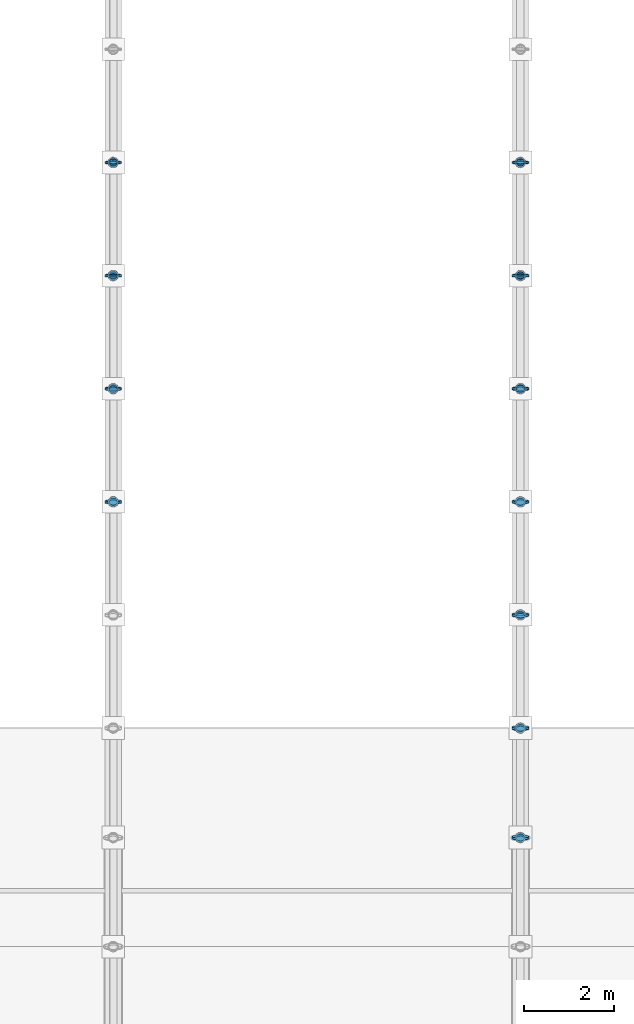
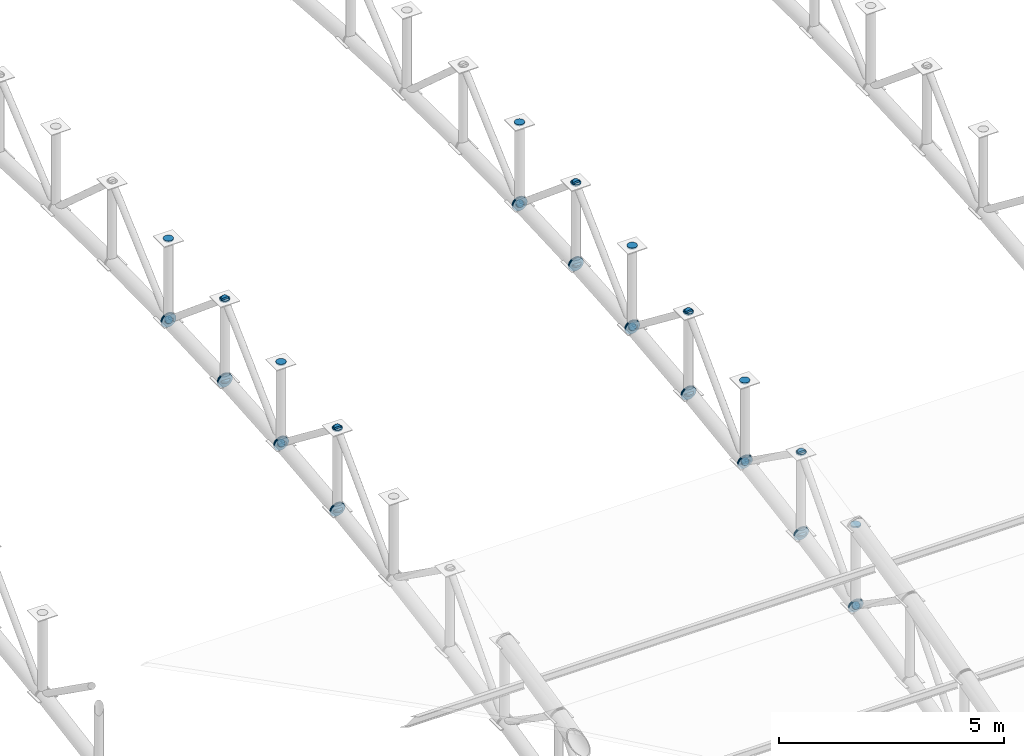
# One storey, part 124 of 195: 66 discrete accessories.
"""IFC4 building model written with IfcOpenShell, lengths in metres."""

import ifcopenshell
import ifcopenshell.guid

model = None  # the IFC model being written
_history = None  # IfcOwnerHistory: only IFC2X3 demands one
_inside = {}  # id of a spatial element -> (the spatial element, [elements in it])
_under = {}  # id of a project, library or spatial element -> (it, [spatial elements below it])
_declared = {}  # id of a project -> (the project, [libraries it declares])
_typed = {}  # id of a type object -> (the type object, [elements of that type])
_made_of = {}  # id of a material, layer set ... -> (it, [elements and type objects made of it])


def new_model(schema):
    """Start an empty IFC model of exactly this schema.

    Asked for "IFC4X3", IfcOpenShell would pick the latest addendum, in which some entities
    have other attributes; the version numbers below select the first issue.
    IFC2X3 requires an IfcOwnerHistory on every rooted entity: one is made here for all.
    """
    global model, _history
    if schema == "IFC4X3":
        model = ifcopenshell.file(schema_version=(4, 3, 0, 0))
    else:
        model = ifcopenshell.file(schema=schema)
    _inside.clear()
    _under.clear()
    _declared.clear()
    _typed.clear()
    _made_of.clear()
    _history = None
    if model.schema == "IFC2X3":
        org = make("IfcOrganization", Name="unknown")
        user = make(
            "IfcPersonAndOrganization",
            ThePerson=make("IfcPerson", FamilyName="unknown"),
            TheOrganization=org,
        )
        app = make(
            "IfcApplication",
            ApplicationDeveloper=org,
            Version="unknown",
            ApplicationFullName="unknown",
            ApplicationIdentifier="unknown",
        )
        _history = make(
            "IfcOwnerHistory",
            OwningUser=user,
            OwningApplication=app,
            ChangeAction="ADDED",
            CreationDate=0,
        )
    return model


def make(cls, **values):
    """One entity of the class cls with the attributes given. An attribute that is None is left unset."""
    return model.create_entity(
        cls, **{name: value for name, value in values.items() if value is not None}
    )


def rooted(cls, **values):
    """An entity with a GlobalId (a new one), such as an element, a storey or a relation."""
    return make(cls, GlobalId=ifcopenshell.guid.new(), OwnerHistory=_history, **values)


def si_unit(unit_type, name, prefix=None):
    """IfcSIUnit, for example si_unit("LENGTHUNIT", "METRE", prefix="MILLI")."""
    return make("IfcSIUnit", UnitType=unit_type, Prefix=prefix, Name=name)


def assignment(units):
    """IfcUnitAssignment: the units of a project."""
    return None if units is None else make("IfcUnitAssignment", Units=units)


def point(xyz):
    """IfcCartesianPoint."""
    return None if xyz is None else make("IfcCartesianPoint", Coordinates=xyz)


def direction(xyz):
    """IfcDirection."""
    return None if xyz is None else make("IfcDirection", DirectionRatios=xyz)


def frame(location, z_axis=None, x_axis=None):
    """IfcAxis2Placement3D, a coordinate frame: its origin and axes. An axis left out is left unset."""
    return make(
        "IfcAxis2Placement3D",
        Location=point(location),
        Axis=direction(z_axis),
        RefDirection=direction(x_axis),
    )


def frame_2d(location, x_axis=None):
    """IfcAxis2Placement2D, a coordinate frame in the plane: its origin and x axis."""
    return make(
        "IfcAxis2Placement2D", Location=point(location), RefDirection=direction(x_axis)
    )


def origin():
    """The frame at (0, 0, 0) with its axes left unset."""
    return frame((0.0, 0.0, 0.0))


def origin_2d():
    """The frame at (0, 0) in the plane with its x axis left unset."""
    return frame_2d((0.0, 0.0))


def place(relative_to, where):
    """IfcLocalPlacement: puts the frame where relative to a parent placement (None: the world)."""
    return make(
        "IfcLocalPlacement", PlacementRelTo=relative_to, RelativePlacement=where
    )


def context(
    kind, dimensions, precision=None, world=None, true_north=None, identifier=None
):
    """IfcGeometricRepresentationContext, for example the 3D "Model" context."""
    return make(
        "IfcGeometricRepresentationContext",
        ContextIdentifier=identifier,
        ContextType=kind,
        CoordinateSpaceDimension=dimensions,
        Precision=precision,
        WorldCoordinateSystem=world,
        TrueNorth=true_north,
    )


def subcontext(parent, identifier, kind, view, scale=None):
    """IfcGeometricRepresentationSubContext, for example "Body" below "Model"."""
    return make(
        "IfcGeometricRepresentationSubContext",
        ContextIdentifier=identifier,
        ContextType=kind,
        ParentContext=parent,
        TargetScale=scale,
        TargetView=view,
    )


def project(units=None, contexts=None):
    """IfcProject with its units and contexts."""
    return rooted(
        "IfcProject",
        Name="project",
        RepresentationContexts=contexts,
        UnitsInContext=assignment(units),
    )


def spatial(cls, under=None, at=None, **own):
    """A site, building, storey or space (cls), placed at a placement, below another one or the project."""
    s = rooted(cls, ObjectPlacement=at, **own)
    if under is not None:
        _under.setdefault(under.id(), (under, []))[1].append(s)
    return s


def profile(cls, at=None, kind="AREA", **sizes):
    """A parametric profile (cls). Its sizes go by their IFC names, for example OverallWidth=200.0."""
    return make(cls, ProfileType=kind, Position=at, **sizes)


def circle(**sizes):
    """IfcCircleProfileDef."""
    return profile("IfcCircleProfileDef", **sizes)


def extrude(swept, where, along, depth):
    """IfcExtrudedAreaSolid: the profile swept, set in the frame where, extruded along a direction by depth."""
    return make(
        "IfcExtrudedAreaSolid",
        SweptArea=swept,
        Position=where,
        ExtrudedDirection=direction(along),
        Depth=depth,
    )


def shape(context_of_items, identifier, shape_type, items):
    """IfcShapeRepresentation: the items that make up one representation, for example the "Body"."""
    return make(
        "IfcShapeRepresentation",
        ContextOfItems=context_of_items,
        RepresentationIdentifier=identifier,
        RepresentationType=shape_type,
        Items=items,
    )


def material(Name=None, Category=None):
    """IfcMaterial."""
    return make("IfcMaterial", Name=Name, Category=Category)


def made_of(thing, what):
    """Note that an element or type object is made of a material, layer set ...; save() writes the relation."""
    if what is not None:
        _made_of.setdefault(what.id(), (what, []))[1].append(thing)
    return thing


def element(
    cls,
    number,
    at=None,
    inside=None,
    cuts=None,
    type_object=None,
    material=None,
    context=None,
    identifier="Body",
    shape_type=None,
    held_by="IfcProductDefinitionShape",
    body=None,
    shapes=None,
    **own,
):
    """One element of the class cls, such as IfcWall. Its Tag is "e" and its number.

    at: its placement. inside: the storey or other place that contains it. cuts: it is an
    opening in that element (IfcRelVoidsElement). A single representation is given by context,
    identifier, shape_type and body (its items); several are given by shapes. held_by: the class
    of the entity that holds the representations. save() writes the other relations.
    """
    e = rooted(cls, Tag="e%d" % number, ObjectPlacement=at, **own)
    if body is not None:
        shapes = [shape(context, identifier, shape_type, body)]
    if shapes is not None:
        e.Representation = make(held_by, Representations=shapes)
    if inside is not None:
        _inside.setdefault(inside.id(), (inside, []))[1].append(e)
    if cuts is not None:
        rooted(
            "IfcRelVoidsElement", RelatingBuildingElement=cuts, RelatedOpeningElement=e
        )
    if type_object is not None:
        _typed.setdefault(type_object.id(), (type_object, []))[1].append(e)
    return made_of(e, material)


def aggregate(whole, parts):
    """IfcRelAggregates: a whole, such as a stair, and the parts it consists of."""
    return rooted("IfcRelAggregates", RelatingObject=whole, RelatedObjects=parts)


def save(model, path):
    """Write the relations noted so far, then the file.

    IfcRelAggregates (storeys below a building ...), IfcRelContainedInSpatialStructure (elements
    in a storey), IfcRelDefinesByType, IfcRelAssociatesMaterial and IfcRelDeclares: one each for
    every whole, place, type object, material and project.
    """
    for whole, parts in _under.values():
        aggregate(whole, parts)
    for where, things in _inside.values():
        rooted(
            "IfcRelContainedInSpatialStructure",
            RelatedElements=things,
            RelatingStructure=where,
        )
    for kind, things in _typed.values():
        rooted("IfcRelDefinesByType", RelatedObjects=things, RelatingType=kind)
    for what, things in _made_of.values():
        rooted("IfcRelAssociatesMaterial", RelatedObjects=things, RelatingMaterial=what)
    for by, libraries in _declared.values():
        rooted("IfcRelDeclares", RelatingContext=by, RelatedDefinitions=libraries)
    model.write(path)


model = new_model("IFC4")

# Units and contexts
model_context = context("Model", 3, precision=1e-05, world=origin(), true_north=direction((0.0, 1.0)))
body_context = subcontext(model_context, "Body", "Model", "MODEL_VIEW")
ifc_project = project(units=[si_unit("LENGTHUNIT", "METRE"), si_unit("AREAUNIT", "SQUARE_METRE"), si_unit("VOLUMEUNIT", "CUBIC_METRE"), si_unit("PLANEANGLEUNIT", "RADIAN"), si_unit("MASSUNIT", "GRAM", prefix="KILO")], contexts=[model_context])

# Site, building, storey
site_placement = place(None, origin())
site = spatial("IfcSite", under=ifc_project, at=site_placement, CompositionType="ELEMENT")
building_placement = place(site_placement, origin())
building = spatial("IfcBuilding", under=site, at=building_placement, Name="Marlcrest Central Station", CompositionType="ELEMENT")
storey_placement = place(building_placement, frame((0.0, 0.0, 9.800048828125)))
storey = spatial("IfcBuildingStorey", under=building, at=storey_placement, Name="L02", CompositionType="ELEMENT", Elevation=9.800048828125)

# Discrete accessories
ifc_material = material(Name="Steel S355", Category="steel")
discrete_accessory_1_placement = place(storey_placement, frame((54.0, 55.975341796875, 4.176025390625), z_axis=(0.0, 0.990402740232, 0.138211476152), x_axis=(-1.0, 0.0, 0.0)))
element("IfcDiscreteAccessory", 1, at=discrete_accessory_1_placement, inside=storey, material=ifc_material, Name="endcap-mem-AC-02-L02-00788-e", ObjectType="END_CAP_PLATE", PredefinedType="BRACKET", context=body_context, shape_type="SweptSolid", body=[
    extrude(circle(Radius=0.185791015625, at=origin_2d()), origin(), (0.0, 0.0, 1.0), 0.0400390625),
])
discrete_accessory_2_placement = place(storey_placement, frame((54.0, 55.982421875, 6.361572265625), z_axis=(0.0, 0.70023547796, 0.713911952139), x_axis=(-1.0, 0.0, 0.0)))
element("IfcDiscreteAccessory", 2, at=discrete_accessory_2_placement, inside=storey, material=ifc_material, Name="endcap-mem-AD-01-L02-00790-e", ObjectType="END_CAP_PLATE", PredefinedType="BRACKET", context=body_context, shape_type="SweptSolid", body=[
    extrude(circle(Radius=0.092041015625, at=origin_2d()), origin(), (0.0, 0.0, 1.0), 0.0400390625),
])
for number, where, z_axis, x_axis, name in (
    (3, (54.0, 55.985107421875, 4.177734375), (0.0, 0.994155341034, 0.107959056565), (-1.0, 0.0, 0.0), "endcap-mem-AC-02-L02-00792-s"),
    (4, (54.0, 58.47509765625, 4.4482421875), (0.0, 0.994155341034, 0.107959056565), (-1.0, 0.0, 0.0), "endcap-mem-AC-02-L02-00792-e"),
):
    element("IfcDiscreteAccessory", number, at=place(storey_placement, frame(where, z_axis=z_axis, x_axis=x_axis)), inside=storey, material=ifc_material, Name=name, ObjectType="END_CAP_PLATE", PredefinedType="BRACKET", context=body_context, shape_type="SweptSolid", body=[
        extrude(circle(Radius=0.185791015625, at=origin_2d()), origin(), (0.0, 0.0, 1.0), 0.0400390625),
    ])
for number, where, z_axis, x_axis, name in (
    (5, (54.0, 56.0, 4.16455078125), (0.0, 0.0, 1.0), (1.0, 0.0, 0.0), "endcap-mem-AP-01-L02-00793-s"),
    (6, (54.0, 56.0, 6.3544921875), (0.0, 0.0, 1.0), (1.0, 0.0, 0.0), "endcap-mem-AP-01-L02-00793-e"),
):
    element("IfcDiscreteAccessory", number, at=place(storey_placement, frame(where, z_axis=z_axis, x_axis=x_axis)), inside=storey, material=ifc_material, Name=name, ObjectType="END_CAP_PLATE", PredefinedType="BRACKET", context=body_context, shape_type="SweptSolid", body=[
        extrude(circle(Radius=0.117431640625, at=origin_2d()), origin(), (0.0, 0.0, 1.0), 0.0400390625),
    ])
for number, where, z_axis, x_axis, name in (
    (7, (54.0, 55.988037109375, 6.388671875), (0.0, 0.791798282026, -0.610782678684), (-1.0, 0.0, 0.0), "endcap-mem-AD-01-L02-00794-s"),
    (8, (54.0, 58.480224609375, 4.46630859375), (0.0, 0.791798282026, -0.610782678684), (-1.0, 0.0, 0.0), "endcap-mem-AD-01-L02-00794-e"),
):
    element("IfcDiscreteAccessory", number, at=place(storey_placement, frame(where, z_axis=z_axis, x_axis=x_axis)), inside=storey, material=ifc_material, Name=name, ObjectType="END_CAP_PLATE", PredefinedType="BRACKET", context=body_context, shape_type="SweptSolid", body=[
        extrude(circle(Radius=0.092041015625, at=origin_2d()), origin(), (0.0, 0.0, 1.0), 0.0400390625),
    ])
for number, where, z_axis, x_axis, name in (
    (9, (54.0, 58.485107421875, 4.44970703125), (0.0, 0.997007334767, 0.077307014043), (-1.0, 0.0, 0.0), "endcap-mem-AC-02-L02-00796-s"),
    (10, (54.0, 60.97509765625, 4.642822265625), (0.0, 0.997007334767, 0.077307014043), (-1.0, 0.0, 0.0), "endcap-mem-AC-02-L02-00796-e"),
):
    element("IfcDiscreteAccessory", number, at=place(storey_placement, frame(where, z_axis=z_axis, x_axis=x_axis)), inside=storey, material=ifc_material, Name=name, ObjectType="END_CAP_PLATE", PredefinedType="BRACKET", context=body_context, shape_type="SweptSolid", body=[
        extrude(circle(Radius=0.185791015625, at=origin_2d()), origin(), (0.0, 0.0, 1.0), 0.0400390625),
    ])
for number, where, z_axis, x_axis, name in (
    (11, (54.0, 58.5, 4.43603515625), (0.0, 0.0, 1.0), (1.0, 0.0, 0.0), "endcap-mem-AP-01-L02-00797-s"),
    (12, (54.0, 58.5, 6.6259765625), (0.0, 0.0, 1.0), (1.0, 0.0, 0.0), "endcap-mem-AP-01-L02-00797-e"),
):
    element("IfcDiscreteAccessory", number, at=place(storey_placement, frame(where, z_axis=z_axis, x_axis=x_axis)), inside=storey, material=ifc_material, Name=name, ObjectType="END_CAP_PLATE", PredefinedType="BRACKET", context=body_context, shape_type="SweptSolid", body=[
        extrude(circle(Radius=0.117431640625, at=origin_2d()), origin(), (0.0, 0.0, 1.0), 0.0400390625),
    ])
for number, where, z_axis, x_axis, name in (
    (13, (54.0, 58.4892578125, 4.440673828125), (0.0, 0.722246537655, 0.691635698071), (-1.0, 0.0, 0.0), "endcap-mem-AD-01-L02-00798-s"),
    (14, (54.0, 60.98193359375, 6.82763671875), (0.0, 0.722246537655, 0.691635698071), (-1.0, 0.0, 0.0), "endcap-mem-AD-01-L02-00798-e"),
):
    element("IfcDiscreteAccessory", number, at=place(storey_placement, frame(where, z_axis=z_axis, x_axis=x_axis)), inside=storey, material=ifc_material, Name=name, ObjectType="END_CAP_PLATE", PredefinedType="BRACKET", context=body_context, shape_type="SweptSolid", body=[
        extrude(circle(Radius=0.092041015625, at=origin_2d()), origin(), (0.0, 0.0, 1.0), 0.0400390625),
    ])
for number, where, z_axis, x_axis, name in (
    (15, (54.0, 60.985107421875, 4.64404296875), (0.0, 0.998916819647, 0.046531574509), (-1.0, 0.0, 0.0), "endcap-mem-AC-02-L02-00800-s"),
    (16, (54.0, 63.47509765625, 4.760009765625), (0.0, 0.998916819647, 0.046531574509), (-1.0, 0.0, 0.0), "endcap-mem-AC-02-L02-00800-e"),
):
    element("IfcDiscreteAccessory", number, at=place(storey_placement, frame(where, z_axis=z_axis, x_axis=x_axis)), inside=storey, material=ifc_material, Name=name, ObjectType="END_CAP_PLATE", PredefinedType="BRACKET", context=body_context, shape_type="SweptSolid", body=[
        extrude(circle(Radius=0.185791015625, at=origin_2d()), origin(), (0.0, 0.0, 1.0), 0.0400390625),
    ])
for number, where, z_axis, x_axis, name in (
    (17, (54.0, 61.0, 4.6298828125), (0.0, 0.0, 1.0), (1.0, 0.0, 0.0), "endcap-mem-AP-01-L02-00801-s"),
    (18, (54.0, 61.0, 6.820068359375), (0.0, 0.0, 1.0), (1.0, 0.0, 0.0), "endcap-mem-AP-01-L02-00801-e"),
):
    element("IfcDiscreteAccessory", number, at=place(storey_placement, frame(where, z_axis=z_axis, x_axis=x_axis)), inside=storey, material=ifc_material, Name=name, ObjectType="END_CAP_PLATE", PredefinedType="BRACKET", context=body_context, shape_type="SweptSolid", body=[
        extrude(circle(Radius=0.117431640625, at=origin_2d()), origin(), (0.0, 0.0, 1.0), 0.0400390625),
    ])
for number, where, z_axis, x_axis, name in (
    (19, (54.0, 60.988525390625, 6.8544921875), (0.0, 0.768159787854, -0.640258182552), (-1.0, 0.0, 0.0), "endcap-mem-AD-01-L02-00802-s"),
    (20, (54.0, 63.480712890625, 4.77734375), (0.0, 0.768159787854, -0.640258182552), (-1.0, 0.0, 0.0), "endcap-mem-AD-01-L02-00802-e"),
):
    element("IfcDiscreteAccessory", number, at=place(storey_placement, frame(where, z_axis=z_axis, x_axis=x_axis)), inside=storey, material=ifc_material, Name=name, ObjectType="END_CAP_PLATE", PredefinedType="BRACKET", context=body_context, shape_type="SweptSolid", body=[
        extrude(circle(Radius=0.092041015625, at=origin_2d()), origin(), (0.0, 0.0, 1.0), 0.0400390625),
    ])
discrete_accessory_3_placement = place(storey_placement, frame((54.0, 63.485107421875, 4.760986328125), z_axis=(0.0, 0.999879472592, 0.01552547228), x_axis=(-1.0, 0.0, 0.0)))
element("IfcDiscreteAccessory", 21, at=discrete_accessory_3_placement, inside=storey, material=ifc_material, Name="endcap-mem-AC-02-L02-00804-s", ObjectType="END_CAP_PLATE", PredefinedType="BRACKET", context=body_context, shape_type="SweptSolid", body=[
    extrude(circle(Radius=0.185791015625, at=origin_2d()), origin(), (0.0, 0.0, 1.0), 0.0400390625),
])
for number, where, z_axis, x_axis, name in (
    (22, (54.0, 63.5, 4.746337890625), (0.0, 0.0, 1.0), (1.0, 0.0, 0.0), "endcap-mem-AP-01-L02-00805-s"),
    (23, (54.0, 63.5, 6.936279296875), (0.0, 0.0, 1.0), (1.0, 0.0, 0.0), "endcap-mem-AP-01-L02-00805-e"),
):
    element("IfcDiscreteAccessory", number, at=place(storey_placement, frame(where, z_axis=z_axis, x_axis=x_axis)), inside=storey, material=ifc_material, Name=name, ObjectType="END_CAP_PLATE", PredefinedType="BRACKET", context=body_context, shape_type="SweptSolid", body=[
        extrude(circle(Radius=0.117431640625, at=origin_2d()), origin(), (0.0, 0.0, 1.0), 0.0400390625),
    ])
discrete_accessory_4_placement = place(storey_placement, frame((54.0, 63.48876953125, 4.751220703125), z_axis=(0.0, 0.744955843007, 0.66711377738), x_axis=(-1.0, 0.0, 0.0)))
element("IfcDiscreteAccessory", 24, at=discrete_accessory_4_placement, inside=storey, material=ifc_material, Name="endcap-mem-AD-01-L02-00806-s", ObjectType="END_CAP_PLATE", PredefinedType="BRACKET", context=body_context, shape_type="SweptSolid", body=[
    extrude(circle(Radius=0.092041015625, at=origin_2d()), origin(), (0.0, 0.0, 1.0), 0.0400390625),
])
discrete_accessory_5_placement = place(storey_placement, frame((63.0, 48.5556640625, 2.911376953125), z_axis=(0.0, 0.974307959875, 0.225219891049), x_axis=(-1.0, 0.0, 0.0)))
element("IfcDiscreteAccessory", 25, at=discrete_accessory_5_placement, inside=storey, material=ifc_material, Name="endcap-mem-AC-02-L02-00892-e", ObjectType="END_CAP_PLATE", PredefinedType="BRACKET", context=body_context, shape_type="SweptSolid", body=[
    extrude(circle(Radius=0.185791015625, at=origin_2d()), origin(), (0.0, 0.0, 1.0), 0.0400390625),
])
discrete_accessory_6_placement = place(storey_placement, frame((63.0, 48.559326171875, 2.93115234375), z_axis=(0.0, 0.82626275624, -0.563284881432), x_axis=(-1.0, 0.0, 0.0)))
element("IfcDiscreteAccessory", 26, at=discrete_accessory_6_placement, inside=storey, material=ifc_material, Name="endcap-mem-AD-01-L02-00894-e", ObjectType="END_CAP_PLATE", PredefinedType="BRACKET", context=body_context, shape_type="SweptSolid", body=[
    extrude(circle(Radius=0.092041015625, at=origin_2d()), origin(), (0.0, 0.0, 1.0), 0.0400390625),
])
for number, where, z_axis, x_axis, name in (
    (27, (63.0, 48.5654296875, 2.9140625), (0.0, 0.980359417961, 0.197219196874), (-1.0, 0.0, 0.0), "endcap-mem-AC-02-L02-00896-s"),
    (28, (63.0, 50.9755859375, 3.39892578125), (0.0, 0.980359417961, 0.197219196874), (-1.0, 0.0, 0.0), "endcap-mem-AC-02-L02-00896-e"),
):
    element("IfcDiscreteAccessory", number, at=place(storey_placement, frame(where, z_axis=z_axis, x_axis=x_axis)), inside=storey, material=ifc_material, Name=name, ObjectType="END_CAP_PLATE", PredefinedType="BRACKET", context=body_context, shape_type="SweptSolid", body=[
        extrude(circle(Radius=0.185791015625, at=origin_2d()), origin(), (0.0, 0.0, 1.0), 0.0400390625),
    ])
for number, where, z_axis, x_axis, name in (
    (29, (63.0, 48.580078125, 2.902099609375), (0.0, 0.0, 1.0), (1.0, 0.0, 0.0), "endcap-mem-AP-01-L02-00897-s"),
    (30, (63.0, 48.580078125, 5.092041015625), (0.0, 0.0, 1.0), (1.0, 0.0, 0.0), "endcap-mem-AP-01-L02-00897-e"),
):
    element("IfcDiscreteAccessory", number, at=place(storey_placement, frame(where, z_axis=z_axis, x_axis=x_axis)), inside=storey, material=ifc_material, Name=name, ObjectType="END_CAP_PLATE", PredefinedType="BRACKET", context=body_context, shape_type="SweptSolid", body=[
        extrude(circle(Radius=0.117431640625, at=origin_2d()), origin(), (0.0, 0.0, 1.0), 0.0400390625),
    ])
for number, where, z_axis, x_axis, name in (
    (31, (63.0, 48.570068359375, 2.90576171875), (0.0, 0.669244457479, 0.743042297675), (-1.0, 0.0, 0.0), "endcap-mem-AD-01-L02-00898-s"),
    (32, (63.0, 50.983154296875, 5.585205078125), (0.0, 0.669244457479, 0.743042297675), (-1.0, 0.0, 0.0), "endcap-mem-AD-01-L02-00898-e"),
):
    element("IfcDiscreteAccessory", number, at=place(storey_placement, frame(where, z_axis=z_axis, x_axis=x_axis)), inside=storey, material=ifc_material, Name=name, ObjectType="END_CAP_PLATE", PredefinedType="BRACKET", context=body_context, shape_type="SweptSolid", body=[
        extrude(circle(Radius=0.092041015625, at=origin_2d()), origin(), (0.0, 0.0, 1.0), 0.0400390625),
    ])
for number, where, z_axis, x_axis, name in (
    (33, (63.0, 50.985107421875, 3.4013671875), (0.0, 0.98574109921, 0.168269086076), (-1.0, 0.0, 0.0), "endcap-mem-AC-02-L02-00900-s"),
    (34, (63.0, 53.475341796875, 3.826416015625), (0.0, 0.98574109921, 0.168269086076), (-1.0, 0.0, 0.0), "endcap-mem-AC-02-L02-00900-e"),
):
    element("IfcDiscreteAccessory", number, at=place(storey_placement, frame(where, z_axis=z_axis, x_axis=x_axis)), inside=storey, material=ifc_material, Name=name, ObjectType="END_CAP_PLATE", PredefinedType="BRACKET", context=body_context, shape_type="SweptSolid", body=[
        extrude(circle(Radius=0.185791015625, at=origin_2d()), origin(), (0.0, 0.0, 1.0), 0.0400390625),
    ])
for number, where, z_axis, x_axis, name in (
    (35, (63.0, 51.0, 3.388916015625), (0.0, 0.0, 1.0), (1.0, 0.0, 0.0), "endcap-mem-AP-01-L02-00901-s"),
    (36, (63.0, 51.0, 5.578857421875), (0.0, 0.0, 1.0), (1.0, 0.0, 0.0), "endcap-mem-AP-01-L02-00901-e"),
):
    element("IfcDiscreteAccessory", number, at=place(storey_placement, frame(where, z_axis=z_axis, x_axis=x_axis)), inside=storey, material=ifc_material, Name=name, ObjectType="END_CAP_PLATE", PredefinedType="BRACKET", context=body_context, shape_type="SweptSolid", body=[
        extrude(circle(Radius=0.117431640625, at=origin_2d()), origin(), (0.0, 0.0, 1.0), 0.0400390625),
    ])
for number, where, z_axis, x_axis, name in (
    (37, (63.0, 50.98779296875, 5.612548828125), (0.0, 0.815661132754, -0.57852996164), (-1.0, 0.0, 0.0), "endcap-mem-AD-01-L02-00902-s"),
    (38, (63.0, 53.4794921875, 3.844970703125), (0.0, 0.815661132754, -0.57852996164), (-1.0, 0.0, 0.0), "endcap-mem-AD-01-L02-00902-e"),
):
    element("IfcDiscreteAccessory", number, at=place(storey_placement, frame(where, z_axis=z_axis, x_axis=x_axis)), inside=storey, material=ifc_material, Name=name, ObjectType="END_CAP_PLATE", PredefinedType="BRACKET", context=body_context, shape_type="SweptSolid", body=[
        extrude(circle(Radius=0.092041015625, at=origin_2d()), origin(), (0.0, 0.0, 1.0), 0.0400390625),
    ])
for number, where, z_axis, x_axis, name in (
    (39, (63.0, 53.485107421875, 3.82861328125), (0.0, 0.990402740232, 0.138211476152), (-1.0, 0.0, 0.0), "endcap-mem-AC-02-L02-00904-s"),
    (40, (63.0, 55.975341796875, 4.176025390625), (0.0, 0.990402740232, 0.138211476152), (-1.0, 0.0, 0.0), "endcap-mem-AC-02-L02-00904-e"),
):
    element("IfcDiscreteAccessory", number, at=place(storey_placement, frame(where, z_axis=z_axis, x_axis=x_axis)), inside=storey, material=ifc_material, Name=name, ObjectType="END_CAP_PLATE", PredefinedType="BRACKET", context=body_context, shape_type="SweptSolid", body=[
        extrude(circle(Radius=0.185791015625, at=origin_2d()), origin(), (0.0, 0.0, 1.0), 0.0400390625),
    ])
for number, where, z_axis, x_axis, name in (
    (41, (63.0, 53.5, 3.815673828125), (0.0, 0.0, 1.0), (1.0, 0.0, 0.0), "endcap-mem-AP-01-L02-00905-s"),
    (42, (63.0, 53.5, 6.005615234375), (0.0, 0.0, 1.0), (1.0, 0.0, 0.0), "endcap-mem-AP-01-L02-00905-e"),
):
    element("IfcDiscreteAccessory", number, at=place(storey_placement, frame(where, z_axis=z_axis, x_axis=x_axis)), inside=storey, material=ifc_material, Name=name, ObjectType="END_CAP_PLATE", PredefinedType="BRACKET", context=body_context, shape_type="SweptSolid", body=[
        extrude(circle(Radius=0.117431640625, at=origin_2d()), origin(), (0.0, 0.0, 1.0), 0.0400390625),
    ])
for number, where, z_axis, x_axis, name in (
    (43, (63.0, 53.489501953125, 3.81982421875), (0.0, 0.70023547796, 0.713911952139), (-1.0, 0.0, 0.0), "endcap-mem-AD-01-L02-00906-s"),
    (44, (63.0, 55.982421875, 6.361572265625), (0.0, 0.70023547796, 0.713911952139), (-1.0, 0.0, 0.0), "endcap-mem-AD-01-L02-00906-e"),
):
    element("IfcDiscreteAccessory", number, at=place(storey_placement, frame(where, z_axis=z_axis, x_axis=x_axis)), inside=storey, material=ifc_material, Name=name, ObjectType="END_CAP_PLATE", PredefinedType="BRACKET", context=body_context, shape_type="SweptSolid", body=[
        extrude(circle(Radius=0.092041015625, at=origin_2d()), origin(), (0.0, 0.0, 1.0), 0.0400390625),
    ])
for number, where, z_axis, x_axis, name in (
    (45, (63.0, 55.985107421875, 4.177734375), (0.0, 0.994155341034, 0.107959056565), (-1.0, 0.0, 0.0), "endcap-mem-AC-02-L02-00908-s"),
    (46, (63.0, 58.47509765625, 4.4482421875), (0.0, 0.994155341034, 0.107959056565), (-1.0, 0.0, 0.0), "endcap-mem-AC-02-L02-00908-e"),
):
    element("IfcDiscreteAccessory", number, at=place(storey_placement, frame(where, z_axis=z_axis, x_axis=x_axis)), inside=storey, material=ifc_material, Name=name, ObjectType="END_CAP_PLATE", PredefinedType="BRACKET", context=body_context, shape_type="SweptSolid", body=[
        extrude(circle(Radius=0.185791015625, at=origin_2d()), origin(), (0.0, 0.0, 1.0), 0.0400390625),
    ])
for number, where, z_axis, x_axis, name in (
    (47, (63.0, 56.0, 4.16455078125), (0.0, 0.0, 1.0), (1.0, 0.0, 0.0), "endcap-mem-AP-01-L02-00909-s"),
    (48, (63.0, 56.0, 6.3544921875), (0.0, 0.0, 1.0), (1.0, 0.0, 0.0), "endcap-mem-AP-01-L02-00909-e"),
):
    element("IfcDiscreteAccessory", number, at=place(storey_placement, frame(where, z_axis=z_axis, x_axis=x_axis)), inside=storey, material=ifc_material, Name=name, ObjectType="END_CAP_PLATE", PredefinedType="BRACKET", context=body_context, shape_type="SweptSolid", body=[
        extrude(circle(Radius=0.117431640625, at=origin_2d()), origin(), (0.0, 0.0, 1.0), 0.0400390625),
    ])
for number, where, z_axis, x_axis, name in (
    (49, (63.0, 55.988037109375, 6.388671875), (0.0, 0.791798282026, -0.610782678684), (-1.0, 0.0, 0.0), "endcap-mem-AD-01-L02-00910-s"),
    (50, (63.0, 58.480224609375, 4.46630859375), (0.0, 0.791798282026, -0.610782678684), (-1.0, 0.0, 0.0), "endcap-mem-AD-01-L02-00910-e"),
):
    element("IfcDiscreteAccessory", number, at=place(storey_placement, frame(where, z_axis=z_axis, x_axis=x_axis)), inside=storey, material=ifc_material, Name=name, ObjectType="END_CAP_PLATE", PredefinedType="BRACKET", context=body_context, shape_type="SweptSolid", body=[
        extrude(circle(Radius=0.092041015625, at=origin_2d()), origin(), (0.0, 0.0, 1.0), 0.0400390625),
    ])
for number, where, z_axis, x_axis, name in (
    (51, (63.0, 58.485107421875, 4.44970703125), (0.0, 0.997007334767, 0.077307014043), (-1.0, 0.0, 0.0), "endcap-mem-AC-02-L02-00912-s"),
    (52, (63.0, 60.97509765625, 4.642822265625), (0.0, 0.997007334767, 0.077307014043), (-1.0, 0.0, 0.0), "endcap-mem-AC-02-L02-00912-e"),
):
    element("IfcDiscreteAccessory", number, at=place(storey_placement, frame(where, z_axis=z_axis, x_axis=x_axis)), inside=storey, material=ifc_material, Name=name, ObjectType="END_CAP_PLATE", PredefinedType="BRACKET", context=body_context, shape_type="SweptSolid", body=[
        extrude(circle(Radius=0.185791015625, at=origin_2d()), origin(), (0.0, 0.0, 1.0), 0.0400390625),
    ])
for number, where, z_axis, x_axis, name in (
    (53, (63.0, 58.5, 4.43603515625), (0.0, 0.0, 1.0), (1.0, 0.0, 0.0), "endcap-mem-AP-01-L02-00913-s"),
    (54, (63.0, 58.5, 6.6259765625), (0.0, 0.0, 1.0), (1.0, 0.0, 0.0), "endcap-mem-AP-01-L02-00913-e"),
):
    element("IfcDiscreteAccessory", number, at=place(storey_placement, frame(where, z_axis=z_axis, x_axis=x_axis)), inside=storey, material=ifc_material, Name=name, ObjectType="END_CAP_PLATE", PredefinedType="BRACKET", context=body_context, shape_type="SweptSolid", body=[
        extrude(circle(Radius=0.117431640625, at=origin_2d()), origin(), (0.0, 0.0, 1.0), 0.0400390625),
    ])
for number, where, z_axis, x_axis, name in (
    (55, (63.0, 58.4892578125, 4.440673828125), (0.0, 0.722246537655, 0.691635698071), (-1.0, 0.0, 0.0), "endcap-mem-AD-01-L02-00914-s"),
    (56, (63.0, 60.98193359375, 6.82763671875), (0.0, 0.722246537655, 0.691635698071), (-1.0, 0.0, 0.0), "endcap-mem-AD-01-L02-00914-e"),
):
    element("IfcDiscreteAccessory", number, at=place(storey_placement, frame(where, z_axis=z_axis, x_axis=x_axis)), inside=storey, material=ifc_material, Name=name, ObjectType="END_CAP_PLATE", PredefinedType="BRACKET", context=body_context, shape_type="SweptSolid", body=[
        extrude(circle(Radius=0.092041015625, at=origin_2d()), origin(), (0.0, 0.0, 1.0), 0.0400390625),
    ])
for number, where, z_axis, x_axis, name in (
    (57, (63.0, 60.985107421875, 4.64404296875), (0.0, 0.998916819647, 0.046531574509), (-1.0, 0.0, 0.0), "endcap-mem-AC-02-L02-00916-s"),
    (58, (63.0, 63.47509765625, 4.760009765625), (0.0, 0.998916819647, 0.046531574509), (-1.0, 0.0, 0.0), "endcap-mem-AC-02-L02-00916-e"),
):
    element("IfcDiscreteAccessory", number, at=place(storey_placement, frame(where, z_axis=z_axis, x_axis=x_axis)), inside=storey, material=ifc_material, Name=name, ObjectType="END_CAP_PLATE", PredefinedType="BRACKET", context=body_context, shape_type="SweptSolid", body=[
        extrude(circle(Radius=0.185791015625, at=origin_2d()), origin(), (0.0, 0.0, 1.0), 0.0400390625),
    ])
for number, where, z_axis, x_axis, name in (
    (59, (63.0, 61.0, 4.6298828125), (0.0, 0.0, 1.0), (1.0, 0.0, 0.0), "endcap-mem-AP-01-L02-00917-s"),
    (60, (63.0, 61.0, 6.820068359375), (0.0, 0.0, 1.0), (1.0, 0.0, 0.0), "endcap-mem-AP-01-L02-00917-e"),
):
    element("IfcDiscreteAccessory", number, at=place(storey_placement, frame(where, z_axis=z_axis, x_axis=x_axis)), inside=storey, material=ifc_material, Name=name, ObjectType="END_CAP_PLATE", PredefinedType="BRACKET", context=body_context, shape_type="SweptSolid", body=[
        extrude(circle(Radius=0.117431640625, at=origin_2d()), origin(), (0.0, 0.0, 1.0), 0.0400390625),
    ])
for number, where, z_axis, x_axis, name in (
    (61, (63.0, 60.988525390625, 6.8544921875), (0.0, 0.768159787854, -0.640258182552), (-1.0, 0.0, 0.0), "endcap-mem-AD-01-L02-00918-s"),
    (62, (63.0, 63.480712890625, 4.77734375), (0.0, 0.768159787854, -0.640258182552), (-1.0, 0.0, 0.0), "endcap-mem-AD-01-L02-00918-e"),
):
    element("IfcDiscreteAccessory", number, at=place(storey_placement, frame(where, z_axis=z_axis, x_axis=x_axis)), inside=storey, material=ifc_material, Name=name, ObjectType="END_CAP_PLATE", PredefinedType="BRACKET", context=body_context, shape_type="SweptSolid", body=[
        extrude(circle(Radius=0.092041015625, at=origin_2d()), origin(), (0.0, 0.0, 1.0), 0.0400390625),
    ])
discrete_accessory_7_placement = place(storey_placement, frame((63.0, 63.485107421875, 4.760986328125), z_axis=(0.0, 0.999879472592, 0.01552547228), x_axis=(-1.0, 0.0, 0.0)))
element("IfcDiscreteAccessory", 63, at=discrete_accessory_7_placement, inside=storey, material=ifc_material, Name="endcap-mem-AC-02-L02-00920-s", ObjectType="END_CAP_PLATE", PredefinedType="BRACKET", context=body_context, shape_type="SweptSolid", body=[
    extrude(circle(Radius=0.185791015625, at=origin_2d()), origin(), (0.0, 0.0, 1.0), 0.0400390625),
])
for number, where, z_axis, x_axis, name in (
    (64, (63.0, 63.5, 4.746337890625), (0.0, 0.0, 1.0), (1.0, 0.0, 0.0), "endcap-mem-AP-01-L02-00921-s"),
    (65, (63.0, 63.5, 6.936279296875), (0.0, 0.0, 1.0), (1.0, 0.0, 0.0), "endcap-mem-AP-01-L02-00921-e"),
):
    element("IfcDiscreteAccessory", number, at=place(storey_placement, frame(where, z_axis=z_axis, x_axis=x_axis)), inside=storey, material=ifc_material, Name=name, ObjectType="END_CAP_PLATE", PredefinedType="BRACKET", context=body_context, shape_type="SweptSolid", body=[
        extrude(circle(Radius=0.117431640625, at=origin_2d()), origin(), (0.0, 0.0, 1.0), 0.0400390625),
    ])
discrete_accessory_8_placement = place(storey_placement, frame((63.0, 63.48876953125, 4.751220703125), z_axis=(0.0, 0.744955843007, 0.66711377738), x_axis=(-1.0, 0.0, 0.0)))
element("IfcDiscreteAccessory", 66, at=discrete_accessory_8_placement, inside=storey, material=ifc_material, Name="endcap-mem-AD-01-L02-00922-s", ObjectType="END_CAP_PLATE", PredefinedType="BRACKET", context=body_context, shape_type="SweptSolid", body=[
    extrude(circle(Radius=0.092041015625, at=origin_2d()), origin(), (0.0, 0.0, 1.0), 0.0400390625),
])

save(model, "model.ifc")
